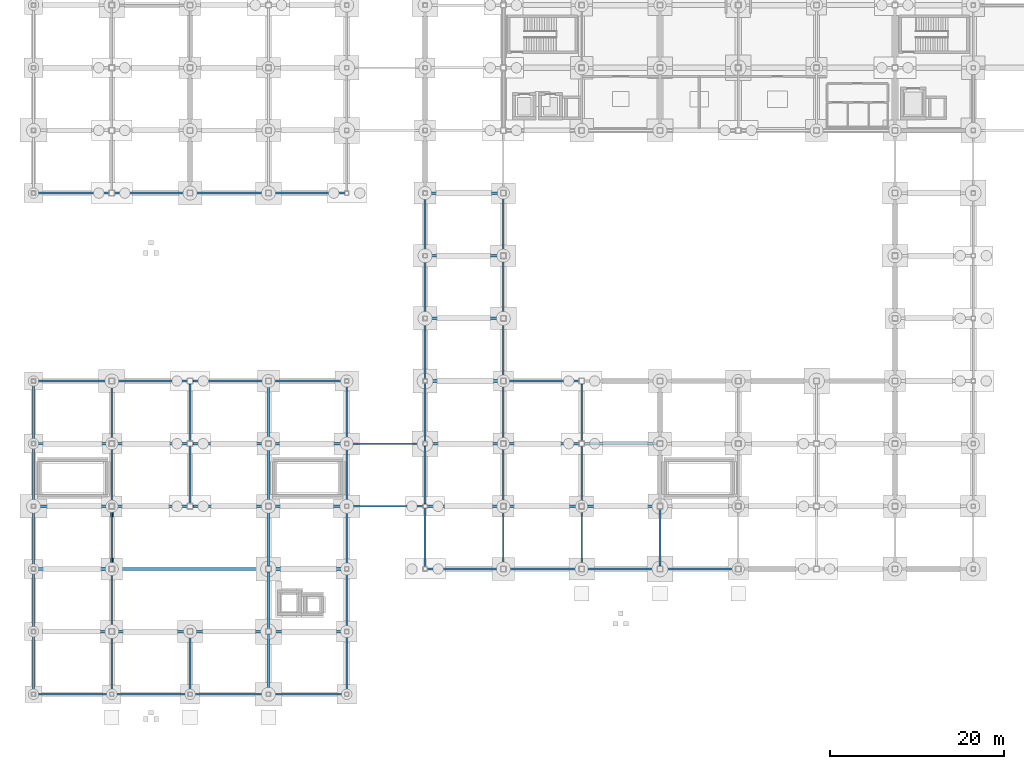
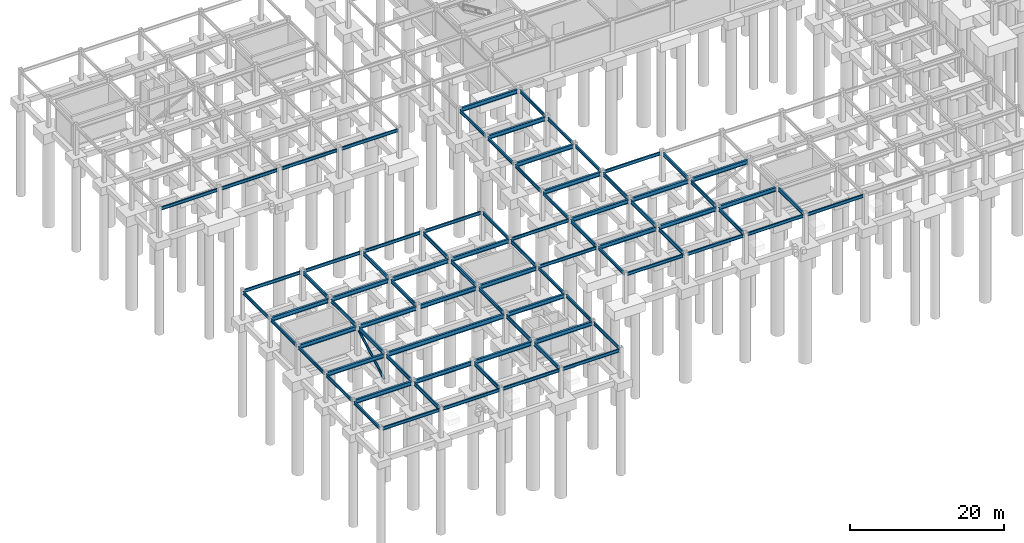
# One storey, part 17 of 28: 83 beams, 1 member.
"""IFC4 building model written with IfcOpenShell, lengths in metres."""

from ifc_helpers import new_model, si_unit, direction, frame, origin, origin_2d, place, context, subcontext, project, spatial, hollow_circle, i_section, extrude, material, material_profile, profile_set, type_object, element, save


model = new_model("IFC4")

# Units and contexts
model_context = context("Model", 3, precision=1e-05, world=origin(), true_north=direction((0.0, 1.0)))
body_context = subcontext(model_context, "Body", "Model", "MODEL_VIEW")
ifc_project = project(units=[si_unit("LENGTHUNIT", "METRE"), si_unit("AREAUNIT", "SQUARE_METRE"), si_unit("VOLUMEUNIT", "CUBIC_METRE"), si_unit("PLANEANGLEUNIT", "RADIAN"), si_unit("MASSUNIT", "GRAM", prefix="KILO")], contexts=[model_context])

# Site, building, storey
site_placement = place(None, origin())
site = spatial("IfcSite", under=ifc_project, at=site_placement, CompositionType="ELEMENT")
building_placement = place(site_placement, origin())
building = spatial("IfcBuilding", under=site, at=building_placement, Name="Kazanami Central Library", CompositionType="ELEMENT")
storey_placement = place(building_placement, frame((0.0, 0.0, -4.89990234375)))
storey = spatial("IfcBuildingStorey", under=building, at=storey_placement, Name="B01", CompositionType="ELEMENT", Elevation=-4.89990234375)

# Beams
ifc_material_1 = material(Name="Steel SN490B (325 MPa)", Category="steel")
ifc_material_profile_1 = material_profile(ifc_material_1, i_section(OverallWidth=0.300048828125, OverallDepth=0.699951171875, WebThickness=0.012939453125, FlangeThickness=0.02392578125, at=origin_2d()), Name="H-700x300x13x24")
ifc_profile_set_1 = profile_set([ifc_material_profile_1], Name="Steel SN490B (325 MPa)")
beam_type_1 = type_object("IfcBeamType", Name="BM-G-AT", PredefinedType="BEAM", material=ifc_profile_set_1)
beam_1_placement = place(storey_placement, frame((9.322998046875, 14.39990234375, 4.27490234375), z_axis=(1.0, 0.0, 0.0), x_axis=(0.0, 1.0, 0.0)))
element("IfcBeam", 1, at=beam_1_placement, inside=storey, type_object=beam_type_1, Name="Auditorium Clear-Span Girder G-AT B01", PredefinedType="BEAM", context=body_context, shape_type="SweptSolid", body=[
    extrude(i_section(OverallWidth=0.300048828125, OverallDepth=0.699951171875, WebThickness=0.012939453125, FlangeThickness=0.02392578125, at=origin_2d()), origin(), (0.0, 0.0, 1.0), 17.35400390625),
])
ifc_material_profile_2 = material_profile(ifc_material_1, i_section(OverallWidth=0.199951171875, OverallDepth=0.60009765625, WebThickness=0.010986328125, FlangeThickness=0.01708984375, at=origin_2d()), Name="H-600x200x11x17")
ifc_profile_set_2 = profile_set([ifc_material_profile_2], Name="Steel SN490B (325 MPa)")
beam_type_2 = type_object("IfcBeamType", Name="BM-G-BY1", PredefinedType="BEAM", material=ifc_profile_set_2)
beam_2_placement = place(storey_placement, frame((9.0, 0.248046875, 4.324951171875), z_axis=(0.0, 1.0, 0.0), x_axis=(-1.0, 0.0, 0.0)))
element("IfcBeam", 2, at=beam_2_placement, inside=storey, type_object=beam_type_2, Name="Girder G-BY1 B01 2/A-B", PredefinedType="BEAM", context=body_context, shape_type="SweptSolid", body=[
    extrude(i_section(OverallWidth=0.199951171875, OverallDepth=0.60009765625, WebThickness=0.010986328125, FlangeThickness=0.01708984375, at=origin_2d()), origin(), (0.0, 0.0, 1.0), 6.62890625),
])
beam_3_placement = place(storey_placement, frame((9.0, 7.52294921875, 4.324951171875), z_axis=(0.0, 1.0, 0.0), x_axis=(-1.0, 0.0, 0.0)))
element("IfcBeam", 3, at=beam_3_placement, inside=storey, type_object=beam_type_2, Name="Girder G-BY1 B01 2/B-C", PredefinedType="BEAM", context=body_context, shape_type="SweptSolid", body=[
    extrude(i_section(OverallWidth=0.199951171875, OverallDepth=0.60009765625, WebThickness=0.010986328125, FlangeThickness=0.01708984375, at=origin_2d()), origin(), (0.0, 0.0, 1.0), 6.553955078125),
])
beam_4_placement = place(storey_placement, frame((9.0, 14.722900390625, 4.324951171875), z_axis=(0.0, 1.0, 0.0), x_axis=(-1.0, 0.0, 0.0)))
element("IfcBeam", 4, at=beam_4_placement, inside=storey, type_object=beam_type_2, Name="Girder G-BY1 B01 2/C-D", PredefinedType="BEAM", context=body_context, shape_type="SweptSolid", body=[
    extrude(i_section(OverallWidth=0.199951171875, OverallDepth=0.60009765625, WebThickness=0.010986328125, FlangeThickness=0.01708984375, at=origin_2d()), origin(), (0.0, 0.0, 1.0), 6.55419921875),
])
for number, where, z_axis, x_axis, name in (
    (5, (9.0, 21.923095703125, 4.324951171875), (0.0, 1.0, 0.0), (-1.0, 0.0, 0.0), "Girder G-BY1 B01 2/D-E"),
    (6, (9.0, 29.123046875, 4.324951171875), (0.0, 1.0, 0.0), (-1.0, 0.0, 0.0), "Girder G-BY1 B01 2/E-F"),
):
    element("IfcBeam", number, at=place(storey_placement, frame(where, z_axis=z_axis, x_axis=x_axis)), inside=storey, type_object=beam_type_2, Name=name, PredefinedType="BEAM", context=body_context, shape_type="SweptSolid", body=[
        extrude(i_section(OverallWidth=0.199951171875, OverallDepth=0.60009765625, WebThickness=0.010986328125, FlangeThickness=0.01708984375, at=origin_2d()), origin(), (0.0, 0.0, 1.0), 6.553955078125),
    ])
beam_5_placement = place(storey_placement, frame((18.0, 0.248046875, 4.324951171875), z_axis=(0.0, 1.0, 0.0), x_axis=(-1.0, 0.0, 0.0)))
element("IfcBeam", 7, at=beam_5_placement, inside=storey, type_object=beam_type_2, Name="Girder G-BY1 B01 3/A-B", PredefinedType="BEAM", context=body_context, shape_type="SweptSolid", body=[
    extrude(i_section(OverallWidth=0.199951171875, OverallDepth=0.60009765625, WebThickness=0.010986328125, FlangeThickness=0.01708984375, at=origin_2d()), origin(), (0.0, 0.0, 1.0), 6.62890625),
])
for number, where, z_axis, x_axis, name in (
    (8, (18.0, 21.923095703125, 4.324951171875), (0.0, 1.0, 0.0), (-1.0, 0.0, 0.0), "Girder G-BY1 B01 3/D-E"),
    (9, (18.0, 29.123046875, 4.324951171875), (0.0, 1.0, 0.0), (-1.0, 0.0, 0.0), "Girder G-BY1 B01 3/E-F"),
):
    element("IfcBeam", number, at=place(storey_placement, frame(where, z_axis=z_axis, x_axis=x_axis)), inside=storey, type_object=beam_type_2, Name=name, PredefinedType="BEAM", context=body_context, shape_type="SweptSolid", body=[
        extrude(i_section(OverallWidth=0.199951171875, OverallDepth=0.60009765625, WebThickness=0.010986328125, FlangeThickness=0.01708984375, at=origin_2d()), origin(), (0.0, 0.0, 1.0), 6.553955078125),
    ])
beam_6_placement = place(storey_placement, frame((27.0, 0.248046875, 4.324951171875), z_axis=(0.0, 1.0, 0.0), x_axis=(-1.0, 0.0, 0.0)))
element("IfcBeam", 10, at=beam_6_placement, inside=storey, type_object=beam_type_2, Name="Girder G-BY1 B01 4/A-B", PredefinedType="BEAM", context=body_context, shape_type="SweptSolid", body=[
    extrude(i_section(OverallWidth=0.199951171875, OverallDepth=0.60009765625, WebThickness=0.010986328125, FlangeThickness=0.01708984375, at=origin_2d()), origin(), (0.0, 0.0, 1.0), 6.62890625),
])
beam_7_placement = place(storey_placement, frame((27.0, 7.52294921875, 4.324951171875), z_axis=(0.0, 1.0, 0.0), x_axis=(-1.0, 0.0, 0.0)))
element("IfcBeam", 11, at=beam_7_placement, inside=storey, type_object=beam_type_2, Name="Girder G-BY1 B01 4/B-C", PredefinedType="BEAM", context=body_context, shape_type="SweptSolid", body=[
    extrude(i_section(OverallWidth=0.199951171875, OverallDepth=0.60009765625, WebThickness=0.010986328125, FlangeThickness=0.01708984375, at=origin_2d()), origin(), (0.0, 0.0, 1.0), 6.553955078125),
])
beam_8_placement = place(storey_placement, frame((27.0, 14.722900390625, 4.324951171875), z_axis=(0.0, 1.0, 0.0), x_axis=(-1.0, 0.0, 0.0)))
element("IfcBeam", 12, at=beam_8_placement, inside=storey, type_object=beam_type_2, Name="Girder G-BY1 B01 4/C-D", PredefinedType="BEAM", context=body_context, shape_type="SweptSolid", body=[
    extrude(i_section(OverallWidth=0.199951171875, OverallDepth=0.60009765625, WebThickness=0.010986328125, FlangeThickness=0.01708984375, at=origin_2d()), origin(), (0.0, 0.0, 1.0), 6.55419921875),
])
for number, where, z_axis, x_axis, name in (
    (13, (27.0, 21.923095703125, 4.324951171875), (0.0, 1.0, 0.0), (-1.0, 0.0, 0.0), "Girder G-BY1 B01 4/D-E"),
    (14, (27.0, 29.123046875, 4.324951171875), (0.0, 1.0, 0.0), (-1.0, 0.0, 0.0), "Girder G-BY1 B01 4/E-F"),
):
    element("IfcBeam", number, at=place(storey_placement, frame(where, z_axis=z_axis, x_axis=x_axis)), inside=storey, type_object=beam_type_2, Name=name, PredefinedType="BEAM", context=body_context, shape_type="SweptSolid", body=[
        extrude(i_section(OverallWidth=0.199951171875, OverallDepth=0.60009765625, WebThickness=0.010986328125, FlangeThickness=0.01708984375, at=origin_2d()), origin(), (0.0, 0.0, 1.0), 6.553955078125),
    ])
for number, where, z_axis, x_axis, name in (
    (15, (36.0, 21.847900390625, 4.324951171875), (0.0, 1.0, 0.0), (-1.0, 0.0, 0.0), "Girder G-BY1 B01 5/D-E"),
    (16, (45.0, 21.847900390625, 4.324951171875), (0.0, 1.0, 0.0), (-1.0, 0.0, 0.0), "Girder G-BY1 B01 6/D-E"),
):
    element("IfcBeam", number, at=place(storey_placement, frame(where, z_axis=z_axis, x_axis=x_axis)), inside=storey, type_object=beam_type_2, Name=name, PredefinedType="BEAM", context=body_context, shape_type="SweptSolid", body=[
        extrude(i_section(OverallWidth=0.199951171875, OverallDepth=0.60009765625, WebThickness=0.010986328125, FlangeThickness=0.01708984375, at=origin_2d()), origin(), (0.0, 0.0, 1.0), 6.7041015625),
    ])
beam_9_placement = place(storey_placement, frame((54.0, 14.722900390625, 4.35986328125), z_axis=(0.0, 1.0, 0.0), x_axis=(-1.0, 0.0, 0.0)))
element("IfcBeam", 17, at=beam_9_placement, inside=storey, type_object=beam_type_2, Name="Girder G-BY1 B01 7/C-D", PredefinedType="BEAM", context=body_context, shape_type="SweptSolid", body=[
    extrude(i_section(OverallWidth=0.199951171875, OverallDepth=0.60009765625, WebThickness=0.010986328125, FlangeThickness=0.01708984375, at=origin_2d()), origin(), (0.0, 0.0, 1.0), 6.55419921875),
])
for number, where, z_axis, x_axis, name in (
    (18, (54.0, 21.923095703125, 4.324951171875), (0.0, 1.0, 0.0), (-1.0, 0.0, 0.0), "Girder G-BY1 B01 7/D-E"),
    (19, (54.0, 29.123046875, 4.324951171875), (0.0, 1.0, 0.0), (-1.0, 0.0, 0.0), "Girder G-BY1 B01 7/E-F"),
):
    element("IfcBeam", number, at=place(storey_placement, frame(where, z_axis=z_axis, x_axis=x_axis)), inside=storey, type_object=beam_type_2, Name=name, PredefinedType="BEAM", context=body_context, shape_type="SweptSolid", body=[
        extrude(i_section(OverallWidth=0.199951171875, OverallDepth=0.60009765625, WebThickness=0.010986328125, FlangeThickness=0.01708984375, at=origin_2d()), origin(), (0.0, 0.0, 1.0), 6.553955078125),
    ])
beam_10_placement = place(storey_placement, frame((63.0, 14.722900390625, 4.35986328125), z_axis=(0.0, 1.0, 0.0), x_axis=(-1.0, 0.0, 0.0)))
element("IfcBeam", 20, at=beam_10_placement, inside=storey, type_object=beam_type_2, Name="Girder G-BY1 B01 8/C-D", PredefinedType="BEAM", context=body_context, shape_type="SweptSolid", body=[
    extrude(i_section(OverallWidth=0.199951171875, OverallDepth=0.60009765625, WebThickness=0.010986328125, FlangeThickness=0.01708984375, at=origin_2d()), origin(), (0.0, 0.0, 1.0), 6.55419921875),
])
for number, where, z_axis, x_axis, name in (
    (21, (63.0, 21.923095703125, 4.324951171875), (0.0, 1.0, 0.0), (-1.0, 0.0, 0.0), "Girder G-BY1 B01 8/D-E"),
    (22, (63.0, 29.123046875, 4.324951171875), (0.0, 1.0, 0.0), (-1.0, 0.0, 0.0), "Girder G-BY1 B01 8/E-F"),
):
    element("IfcBeam", number, at=place(storey_placement, frame(where, z_axis=z_axis, x_axis=x_axis)), inside=storey, type_object=beam_type_2, Name=name, PredefinedType="BEAM", context=body_context, shape_type="SweptSolid", body=[
        extrude(i_section(OverallWidth=0.199951171875, OverallDepth=0.60009765625, WebThickness=0.010986328125, FlangeThickness=0.01708984375, at=origin_2d()), origin(), (0.0, 0.0, 1.0), 6.553955078125),
    ])
beam_11_placement = place(storey_placement, frame((72.0, 14.722900390625, 4.35986328125), z_axis=(0.0, 1.0, 0.0), x_axis=(-1.0, 0.0, 0.0)))
element("IfcBeam", 23, at=beam_11_placement, inside=storey, type_object=beam_type_2, Name="Girder G-BY1 B01 9/C-D", PredefinedType="BEAM", context=body_context, shape_type="SweptSolid", body=[
    extrude(i_section(OverallWidth=0.199951171875, OverallDepth=0.60009765625, WebThickness=0.010986328125, FlangeThickness=0.01708984375, at=origin_2d()), origin(), (0.0, 0.0, 1.0), 6.55419921875),
])
ifc_material_profile_3 = material_profile(ifc_material_1, i_section(OverallWidth=0.300048828125, OverallDepth=0.64990234375, WebThickness=0.012939453125, FlangeThickness=0.02099609375, at=origin_2d()), Name="H-650x300x13x21")
ifc_profile_set_3 = profile_set([ifc_material_profile_3], Name="Steel SN490B (325 MPa)")
beam_type_3 = type_object("IfcBeamType", Name="BM-G-TR", PredefinedType="BEAM", material=ifc_profile_set_3)
beam_12_placement = place(storey_placement, frame((0.248046875, 7.199951171875, 4.2998046875), z_axis=(1.0, 0.0, 0.0), x_axis=(0.0, 1.0, 0.0)))
element("IfcBeam", 24, at=beam_12_placement, inside=storey, type_object=beam_type_3, Name="Girder G-TR B01 B/1-2", PredefinedType="BEAM", context=body_context, shape_type="SweptSolid", body=[
    extrude(i_section(OverallWidth=0.300048828125, OverallDepth=0.64990234375, WebThickness=0.012939453125, FlangeThickness=0.02099609375, at=origin_2d()), origin(), (0.0, 0.0, 1.0), 8.428955078125),
])
for number, where, z_axis, x_axis, name in (
    (25, (9.322998046875, 7.199951171875, 4.2998046875), (1.0, 0.0, 0.0), (0.0, 1.0, 0.0), "Girder G-TR B01 B/2-3"),
    (26, (18.322998046875, 7.199951171875, 4.2998046875), (1.0, 0.0, 0.0), (0.0, 1.0, 0.0), "Girder G-TR B01 B/3-4"),
):
    element("IfcBeam", number, at=place(storey_placement, frame(where, z_axis=z_axis, x_axis=x_axis)), inside=storey, type_object=beam_type_3, Name=name, PredefinedType="BEAM", context=body_context, shape_type="SweptSolid", body=[
        extrude(i_section(OverallWidth=0.300048828125, OverallDepth=0.64990234375, WebThickness=0.012939453125, FlangeThickness=0.02099609375, at=origin_2d()), origin(), (0.0, 0.0, 1.0), 8.35400390625),
    ])
for number, where, z_axis, x_axis, name in (
    (27, (27.322998046875, 7.199951171875, 4.2998046875), (1.0, 0.0, 0.0), (0.0, 1.0, 0.0), "Girder G-TR B01 B/4-5"),
    (28, (0.248046875, 14.39990234375, 4.2998046875), (1.0, 0.0, 0.0), (0.0, 1.0, 0.0), "Girder G-TR B01 C/1-2"),
    (29, (27.322998046875, 14.39990234375, 4.2998046875), (1.0, 0.0, 0.0), (0.0, 1.0, 0.0), "Girder G-TR B01 C/4-5"),
    (30, (0.248046875, 21.60009765625, 4.2998046875), (1.0, 0.0, 0.0), (0.0, 1.0, 0.0), "Girder G-TR B01 D/1-2"),
):
    element("IfcBeam", number, at=place(storey_placement, frame(where, z_axis=z_axis, x_axis=x_axis)), inside=storey, type_object=beam_type_3, Name=name, PredefinedType="BEAM", context=body_context, shape_type="SweptSolid", body=[
        extrude(i_section(OverallWidth=0.300048828125, OverallDepth=0.64990234375, WebThickness=0.012939453125, FlangeThickness=0.02099609375, at=origin_2d()), origin(), (0.0, 0.0, 1.0), 8.428955078125),
    ])
for number, where, z_axis, x_axis, name in (
    (31, (9.322998046875, 21.60009765625, 4.2998046875), (1.0, 0.0, 0.0), (0.0, 1.0, 0.0), "Girder G-TR B01 D/2-3"),
    (32, (18.322998046875, 21.60009765625, 4.2998046875), (1.0, 0.0, 0.0), (0.0, 1.0, 0.0), "Girder G-TR B01 D/3-4"),
):
    element("IfcBeam", number, at=place(storey_placement, frame(where, z_axis=z_axis, x_axis=x_axis)), inside=storey, type_object=beam_type_3, Name=name, PredefinedType="BEAM", context=body_context, shape_type="SweptSolid", body=[
        extrude(i_section(OverallWidth=0.300048828125, OverallDepth=0.64990234375, WebThickness=0.012939453125, FlangeThickness=0.02099609375, at=origin_2d()), origin(), (0.0, 0.0, 1.0), 8.35400390625),
    ])
for number, where, z_axis, x_axis, name in (
    (33, (27.322998046875, 21.60009765625, 4.2998046875), (1.0, 0.0, 0.0), (0.0, 1.0, 0.0), "Girder G-TR B01 D/4-5"),
    (34, (45.248046875, 21.60009765625, 4.2998046875), (1.0, 0.0, 0.0), (0.0, 1.0, 0.0), "Girder G-TR B01 D/6-7"),
):
    element("IfcBeam", number, at=place(storey_placement, frame(where, z_axis=z_axis, x_axis=x_axis)), inside=storey, type_object=beam_type_3, Name=name, PredefinedType="BEAM", context=body_context, shape_type="SweptSolid", body=[
        extrude(i_section(OverallWidth=0.300048828125, OverallDepth=0.64990234375, WebThickness=0.012939453125, FlangeThickness=0.02099609375, at=origin_2d()), origin(), (0.0, 0.0, 1.0), 8.428955078125),
    ])
for number, where, z_axis, x_axis, name in (
    (35, (54.322998046875, 21.60009765625, 4.2998046875), (1.0, 0.0, 0.0), (0.0, 1.0, 0.0), "Girder G-TR B01 D/7-8"),
    (36, (63.322998046875, 21.60009765625, 4.2998046875), (1.0, 0.0, 0.0), (0.0, 1.0, 0.0), "Girder G-TR B01 D/8-9"),
):
    element("IfcBeam", number, at=place(storey_placement, frame(where, z_axis=z_axis, x_axis=x_axis)), inside=storey, type_object=beam_type_3, Name=name, PredefinedType="BEAM", context=body_context, shape_type="SweptSolid", body=[
        extrude(i_section(OverallWidth=0.300048828125, OverallDepth=0.64990234375, WebThickness=0.012939453125, FlangeThickness=0.02099609375, at=origin_2d()), origin(), (0.0, 0.0, 1.0), 8.35400390625),
    ])
beam_13_placement = place(storey_placement, frame((0.248046875, 28.800048828125, 4.2998046875), z_axis=(1.0, 0.0, 0.0), x_axis=(0.0, 1.0, 0.0)))
element("IfcBeam", 37, at=beam_13_placement, inside=storey, type_object=beam_type_3, Name="Girder G-TR B01 E/1-2", PredefinedType="BEAM", context=body_context, shape_type="SweptSolid", body=[
    extrude(i_section(OverallWidth=0.300048828125, OverallDepth=0.64990234375, WebThickness=0.012939453125, FlangeThickness=0.02099609375, at=origin_2d()), origin(), (0.0, 0.0, 1.0), 8.428955078125),
])
for number, where, z_axis, x_axis, name in (
    (38, (9.322998046875, 28.800048828125, 4.2998046875), (1.0, 0.0, 0.0), (0.0, 1.0, 0.0), "Girder G-TR B01 E/2-3"),
    (39, (18.322998046875, 28.800048828125, 4.2998046875), (1.0, 0.0, 0.0), (0.0, 1.0, 0.0), "Girder G-TR B01 E/3-4"),
):
    element("IfcBeam", number, at=place(storey_placement, frame(where, z_axis=z_axis, x_axis=x_axis)), inside=storey, type_object=beam_type_3, Name=name, PredefinedType="BEAM", context=body_context, shape_type="SweptSolid", body=[
        extrude(i_section(OverallWidth=0.300048828125, OverallDepth=0.64990234375, WebThickness=0.012939453125, FlangeThickness=0.02099609375, at=origin_2d()), origin(), (0.0, 0.0, 1.0), 8.35400390625),
    ])
for number, where, z_axis, x_axis, name in (
    (40, (27.322998046875, 28.800048828125, 4.2998046875), (1.0, 0.0, 0.0), (0.0, 1.0, 0.0), "Girder G-TR B01 E/4-5"),
    (41, (45.248046875, 28.800048828125, 4.2998046875), (1.0, 0.0, 0.0), (0.0, 1.0, 0.0), "Girder G-TR B01 E/6-7"),
):
    element("IfcBeam", number, at=place(storey_placement, frame(where, z_axis=z_axis, x_axis=x_axis)), inside=storey, type_object=beam_type_3, Name=name, PredefinedType="BEAM", context=body_context, shape_type="SweptSolid", body=[
        extrude(i_section(OverallWidth=0.300048828125, OverallDepth=0.64990234375, WebThickness=0.012939453125, FlangeThickness=0.02099609375, at=origin_2d()), origin(), (0.0, 0.0, 1.0), 8.428955078125),
    ])
for number, where, z_axis, x_axis, name in (
    (42, (54.322998046875, 28.800048828125, 4.2998046875), (1.0, 0.0, 0.0), (0.0, 1.0, 0.0), "Girder G-TR B01 E/7-8"),
    (43, (63.322998046875, 28.800048828125, 4.2998046875), (1.0, 0.0, 0.0), (0.0, 1.0, 0.0), "Girder G-TR B01 E/8-9"),
):
    element("IfcBeam", number, at=place(storey_placement, frame(where, z_axis=z_axis, x_axis=x_axis)), inside=storey, type_object=beam_type_3, Name=name, PredefinedType="BEAM", context=body_context, shape_type="SweptSolid", body=[
        extrude(i_section(OverallWidth=0.300048828125, OverallDepth=0.64990234375, WebThickness=0.012939453125, FlangeThickness=0.02099609375, at=origin_2d()), origin(), (0.0, 0.0, 1.0), 8.35400390625),
    ])
for number, where, z_axis, x_axis, name in (
    (44, (45.248046875, 36.0, 4.2998046875), (1.0, 0.0, 0.0), (0.0, 1.0, 0.0), "Girder G-TR B01 F/6-7"),
    (45, (45.248046875, 43.199951171875, 4.2998046875), (1.0, 0.0, 0.0), (0.0, 1.0, 0.0), "Girder G-TR B01 G/6-7"),
    (46, (45.248046875, 50.39990234375, 4.2998046875), (1.0, 0.0, 0.0), (0.0, 1.0, 0.0), "Girder G-TR B01 H/6-7"),
    (47, (45.248046875, 57.60009765625, 4.2998046875), (1.0, 0.0, 0.0), (0.0, 1.0, 0.0), "Girder G-TR B01 J/6-7"),
):
    element("IfcBeam", number, at=place(storey_placement, frame(where, z_axis=z_axis, x_axis=x_axis)), inside=storey, type_object=beam_type_3, Name=name, PredefinedType="BEAM", context=body_context, shape_type="SweptSolid", body=[
        extrude(i_section(OverallWidth=0.300048828125, OverallDepth=0.64990234375, WebThickness=0.012939453125, FlangeThickness=0.02099609375, at=origin_2d()), origin(), (0.0, 0.0, 1.0), 8.428955078125),
    ])
ifc_material_profile_4 = material_profile(ifc_material_1, i_section(OverallWidth=0.199951171875, OverallDepth=0.5, WebThickness=0.010009765625, FlangeThickness=0.01611328125, at=origin_2d()), Name="H-500x200x10x16")
ifc_profile_set_4 = profile_set([ifc_material_profile_4], Name="Steel SN490B (325 MPa)")
beam_type_4 = type_object("IfcBeamType", Name="BM-SP-1", PredefinedType="SPANDREL", material=ifc_profile_set_4)
for number, where, z_axis, x_axis, name in (
    (48, (0.248046875, 0.0, 4.375), (1.0, 0.0, 0.0), (0.0, 1.0, 0.0), "Girder SP-1 B01 A/1-2"),
    (49, (9.248046875, 0.0, 4.375), (1.0, 0.0, 0.0), (0.0, 1.0, 0.0), "Girder SP-1 B01 A/2-3"),
    (50, (18.248046875, 0.0, 4.375), (1.0, 0.0, 0.0), (0.0, 1.0, 0.0), "Girder SP-1 B01 A/3-4"),
    (51, (27.248046875, 0.0, 4.375), (1.0, 0.0, 0.0), (0.0, 1.0, 0.0), "Girder SP-1 B01 A/4-5"),
):
    element("IfcBeam", number, at=place(storey_placement, frame(where, z_axis=z_axis, x_axis=x_axis)), inside=storey, type_object=beam_type_4, Name=name, PredefinedType="SPANDREL", context=body_context, shape_type="SweptSolid", body=[
        extrude(i_section(OverallWidth=0.199951171875, OverallDepth=0.5, WebThickness=0.010009765625, FlangeThickness=0.01611328125, at=origin_2d()), origin(), (0.0, 0.0, 1.0), 8.50390625),
    ])
beam_14_placement = place(storey_placement, frame((45.248046875, 14.39990234375, 4.409912109375), z_axis=(1.0, 0.0, 0.0), x_axis=(0.0, 1.0, 0.0)))
element("IfcBeam", 52, at=beam_14_placement, inside=storey, type_object=beam_type_4, Name="Girder SP-1 B01 C/6-7", PredefinedType="SPANDREL", context=body_context, shape_type="SweptSolid", body=[
    extrude(i_section(OverallWidth=0.199951171875, OverallDepth=0.5, WebThickness=0.010009765625, FlangeThickness=0.01611328125, at=origin_2d()), origin(), (0.0, 0.0, 1.0), 8.428955078125),
])
for number, where, z_axis, x_axis, name in (
    (53, (54.322998046875, 14.39990234375, 4.409912109375), (1.0, 0.0, 0.0), (0.0, 1.0, 0.0), "Girder SP-1 B01 C/7-8"),
    (54, (63.322998046875, 14.39990234375, 4.409912109375), (1.0, 0.0, 0.0), (0.0, 1.0, 0.0), "Girder SP-1 B01 C/8-9"),
    (55, (72.322998046875, 14.39990234375, 4.409912109375), (1.0, 0.0, 0.0), (0.0, 1.0, 0.0), "Girder SP-1 B01 C/9-10"),
):
    element("IfcBeam", number, at=place(storey_placement, frame(where, z_axis=z_axis, x_axis=x_axis)), inside=storey, type_object=beam_type_4, Name=name, PredefinedType="SPANDREL", context=body_context, shape_type="SweptSolid", body=[
        extrude(i_section(OverallWidth=0.199951171875, OverallDepth=0.5, WebThickness=0.010009765625, FlangeThickness=0.01611328125, at=origin_2d()), origin(), (0.0, 0.0, 1.0), 8.35400390625),
    ])
for number, where, z_axis, x_axis, name in (
    (56, (36.248046875, 21.60009765625, 4.375), (1.0, 0.0, 0.0), (0.0, 1.0, 0.0), "Covered Link Bridge Girder SP-1 B01 D/5-6"),
    (57, (36.248046875, 28.800048828125, 4.375), (1.0, 0.0, 0.0), (0.0, 1.0, 0.0), "Covered Link Bridge Girder SP-1 B01 E/5-6"),
):
    element("IfcBeam", number, at=place(storey_placement, frame(where, z_axis=z_axis, x_axis=x_axis)), inside=storey, type_object=beam_type_4, Name=name, PredefinedType="SPANDREL", context=body_context, shape_type="SweptSolid", body=[
        extrude(i_section(OverallWidth=0.199951171875, OverallDepth=0.5, WebThickness=0.010009765625, FlangeThickness=0.01611328125, at=origin_2d()), origin(), (0.0, 0.0, 1.0), 8.50390625),
    ])
beam_15_placement = place(storey_placement, frame((0.248046875, 36.0, 4.375), z_axis=(1.0, 0.0, 0.0), x_axis=(0.0, 1.0, 0.0)))
element("IfcBeam", 58, at=beam_15_placement, inside=storey, type_object=beam_type_4, Name="Girder SP-1 B01 F/1-2", PredefinedType="SPANDREL", context=body_context, shape_type="SweptSolid", body=[
    extrude(i_section(OverallWidth=0.199951171875, OverallDepth=0.5, WebThickness=0.010009765625, FlangeThickness=0.01611328125, at=origin_2d()), origin(), (0.0, 0.0, 1.0), 8.428955078125),
])
for number, where, z_axis, x_axis, name in (
    (59, (9.322998046875, 36.0, 4.375), (1.0, 0.0, 0.0), (0.0, 1.0, 0.0), "Girder SP-1 B01 F/2-3"),
    (60, (18.322998046875, 36.0, 4.375), (1.0, 0.0, 0.0), (0.0, 1.0, 0.0), "Girder SP-1 B01 F/3-4"),
):
    element("IfcBeam", number, at=place(storey_placement, frame(where, z_axis=z_axis, x_axis=x_axis)), inside=storey, type_object=beam_type_4, Name=name, PredefinedType="SPANDREL", context=body_context, shape_type="SweptSolid", body=[
        extrude(i_section(OverallWidth=0.199951171875, OverallDepth=0.5, WebThickness=0.010009765625, FlangeThickness=0.01611328125, at=origin_2d()), origin(), (0.0, 0.0, 1.0), 8.35400390625),
    ])
beam_16_placement = place(storey_placement, frame((27.322998046875, 36.0, 4.375), z_axis=(1.0, 0.0, 0.0), x_axis=(0.0, 1.0, 0.0)))
element("IfcBeam", 61, at=beam_16_placement, inside=storey, type_object=beam_type_4, Name="Girder SP-1 B01 F/4-5", PredefinedType="SPANDREL", context=body_context, shape_type="SweptSolid", body=[
    extrude(i_section(OverallWidth=0.199951171875, OverallDepth=0.5, WebThickness=0.010009765625, FlangeThickness=0.01611328125, at=origin_2d()), origin(), (0.0, 0.0, 1.0), 8.428955078125),
])
beam_17_placement = place(storey_placement, frame((54.322998046875, 36.0, 4.375), z_axis=(1.0, 0.0, 0.0), x_axis=(0.0, 1.0, 0.0)))
element("IfcBeam", 62, at=beam_17_placement, inside=storey, type_object=beam_type_4, Name="Girder SP-1 B01 F/7-8", PredefinedType="SPANDREL", context=body_context, shape_type="SweptSolid", body=[
    extrude(i_section(OverallWidth=0.199951171875, OverallDepth=0.5, WebThickness=0.010009765625, FlangeThickness=0.01611328125, at=origin_2d()), origin(), (0.0, 0.0, 1.0), 8.35400390625),
])
beam_18_placement = place(storey_placement, frame((0.248046875, 57.60009765625, 4.375), z_axis=(1.0, 0.0, 0.0), x_axis=(0.0, 1.0, 0.0)))
element("IfcBeam", 63, at=beam_18_placement, inside=storey, type_object=beam_type_4, Name="Girder SP-1 B01 J/1-2", PredefinedType="SPANDREL", context=body_context, shape_type="SweptSolid", body=[
    extrude(i_section(OverallWidth=0.199951171875, OverallDepth=0.5, WebThickness=0.010009765625, FlangeThickness=0.01611328125, at=origin_2d()), origin(), (0.0, 0.0, 1.0), 8.428955078125),
])
for number, where, z_axis, x_axis, name in (
    (64, (9.322998046875, 57.60009765625, 4.375), (1.0, 0.0, 0.0), (0.0, 1.0, 0.0), "Girder SP-1 B01 J/2-3"),
    (65, (18.322998046875, 57.60009765625, 4.375), (1.0, 0.0, 0.0), (0.0, 1.0, 0.0), "Girder SP-1 B01 J/3-4"),
):
    element("IfcBeam", number, at=place(storey_placement, frame(where, z_axis=z_axis, x_axis=x_axis)), inside=storey, type_object=beam_type_4, Name=name, PredefinedType="SPANDREL", context=body_context, shape_type="SweptSolid", body=[
        extrude(i_section(OverallWidth=0.199951171875, OverallDepth=0.5, WebThickness=0.010009765625, FlangeThickness=0.01611328125, at=origin_2d()), origin(), (0.0, 0.0, 1.0), 8.35400390625),
    ])
beam_19_placement = place(storey_placement, frame((27.322998046875, 57.60009765625, 4.375), z_axis=(1.0, 0.0, 0.0), x_axis=(0.0, 1.0, 0.0)))
element("IfcBeam", 66, at=beam_19_placement, inside=storey, type_object=beam_type_4, Name="Girder SP-1 B01 J/4-5", PredefinedType="SPANDREL", context=body_context, shape_type="SweptSolid", body=[
    extrude(i_section(OverallWidth=0.199951171875, OverallDepth=0.5, WebThickness=0.010009765625, FlangeThickness=0.01611328125, at=origin_2d()), origin(), (0.0, 0.0, 1.0), 8.428955078125),
])
beam_20_placement = place(storey_placement, frame((0.0, 0.248046875, 4.375), z_axis=(0.0, 1.0, 0.0), x_axis=(-1.0, 0.0, 0.0)))
element("IfcBeam", 67, at=beam_20_placement, inside=storey, type_object=beam_type_4, Name="Girder SP-1 B01 1/A-B", PredefinedType="SPANDREL", context=body_context, shape_type="SweptSolid", body=[
    extrude(i_section(OverallWidth=0.199951171875, OverallDepth=0.5, WebThickness=0.010009765625, FlangeThickness=0.01611328125, at=origin_2d()), origin(), (0.0, 0.0, 1.0), 6.703857421875),
])
for number, where, z_axis, x_axis, name in (
    (68, (0.0, 7.447998046875, 4.375), (0.0, 1.0, 0.0), (-1.0, 0.0, 0.0), "Girder SP-1 B01 1/B-C"),
    (69, (0.0, 14.64794921875, 4.375), (0.0, 1.0, 0.0), (-1.0, 0.0, 0.0), "Girder SP-1 B01 1/C-D"),
    (70, (0.0, 21.847900390625, 4.375), (0.0, 1.0, 0.0), (-1.0, 0.0, 0.0), "Girder SP-1 B01 1/D-E"),
):
    element("IfcBeam", number, at=place(storey_placement, frame(where, z_axis=z_axis, x_axis=x_axis)), inside=storey, type_object=beam_type_4, Name=name, PredefinedType="SPANDREL", context=body_context, shape_type="SweptSolid", body=[
        extrude(i_section(OverallWidth=0.199951171875, OverallDepth=0.5, WebThickness=0.010009765625, FlangeThickness=0.01611328125, at=origin_2d()), origin(), (0.0, 0.0, 1.0), 6.7041015625),
    ])
for number, where, z_axis, x_axis, name in (
    (71, (0.0, 29.048095703125, 4.375), (0.0, 1.0, 0.0), (-1.0, 0.0, 0.0), "Girder SP-1 B01 1/E-F"),
    (72, (36.0, 0.248046875, 4.375), (0.0, 1.0, 0.0), (-1.0, 0.0, 0.0), "Girder SP-1 B01 5/A-B"),
):
    element("IfcBeam", number, at=place(storey_placement, frame(where, z_axis=z_axis, x_axis=x_axis)), inside=storey, type_object=beam_type_4, Name=name, PredefinedType="SPANDREL", context=body_context, shape_type="SweptSolid", body=[
        extrude(i_section(OverallWidth=0.199951171875, OverallDepth=0.5, WebThickness=0.010009765625, FlangeThickness=0.01611328125, at=origin_2d()), origin(), (0.0, 0.0, 1.0), 6.703857421875),
    ])
for number, where, z_axis, x_axis, name in (
    (73, (36.0, 7.447998046875, 4.375), (0.0, 1.0, 0.0), (-1.0, 0.0, 0.0), "Girder SP-1 B01 5/B-C"),
    (74, (36.0, 14.64794921875, 4.375), (0.0, 1.0, 0.0), (-1.0, 0.0, 0.0), "Girder SP-1 B01 5/C-D"),
):
    element("IfcBeam", number, at=place(storey_placement, frame(where, z_axis=z_axis, x_axis=x_axis)), inside=storey, type_object=beam_type_4, Name=name, PredefinedType="SPANDREL", context=body_context, shape_type="SweptSolid", body=[
        extrude(i_section(OverallWidth=0.199951171875, OverallDepth=0.5, WebThickness=0.010009765625, FlangeThickness=0.01611328125, at=origin_2d()), origin(), (0.0, 0.0, 1.0), 6.7041015625),
    ])
beam_21_placement = place(storey_placement, frame((36.0, 29.048095703125, 4.375), z_axis=(0.0, 1.0, 0.0), x_axis=(-1.0, 0.0, 0.0)))
element("IfcBeam", 75, at=beam_21_placement, inside=storey, type_object=beam_type_4, Name="Girder SP-1 B01 5/E-F", PredefinedType="SPANDREL", context=body_context, shape_type="SweptSolid", body=[
    extrude(i_section(OverallWidth=0.199951171875, OverallDepth=0.5, WebThickness=0.010009765625, FlangeThickness=0.01611328125, at=origin_2d()), origin(), (0.0, 0.0, 1.0), 6.703857421875),
])
beam_22_placement = place(storey_placement, frame((45.0, 14.64794921875, 4.409912109375), z_axis=(0.0, 1.0, 0.0), x_axis=(-1.0, 0.0, 0.0)))
element("IfcBeam", 76, at=beam_22_placement, inside=storey, type_object=beam_type_4, Name="Girder SP-1 B01 6/C-D", PredefinedType="SPANDREL", context=body_context, shape_type="SweptSolid", body=[
    extrude(i_section(OverallWidth=0.199951171875, OverallDepth=0.5, WebThickness=0.010009765625, FlangeThickness=0.01611328125, at=origin_2d()), origin(), (0.0, 0.0, 1.0), 6.7041015625),
])
for number, where, z_axis, x_axis, name in (
    (77, (45.0, 29.048095703125, 4.375), (0.0, 1.0, 0.0), (-1.0, 0.0, 0.0), "Girder SP-1 B01 6/E-F"),
    (78, (45.0, 36.248046875, 4.375), (0.0, 1.0, 0.0), (-1.0, 0.0, 0.0), "Girder SP-1 B01 6/F-G"),
):
    element("IfcBeam", number, at=place(storey_placement, frame(where, z_axis=z_axis, x_axis=x_axis)), inside=storey, type_object=beam_type_4, Name=name, PredefinedType="SPANDREL", context=body_context, shape_type="SweptSolid", body=[
        extrude(i_section(OverallWidth=0.199951171875, OverallDepth=0.5, WebThickness=0.010009765625, FlangeThickness=0.01611328125, at=origin_2d()), origin(), (0.0, 0.0, 1.0), 6.703857421875),
    ])
for number, where, z_axis, x_axis, name in (
    (79, (45.0, 43.447998046875, 4.375), (0.0, 1.0, 0.0), (-1.0, 0.0, 0.0), "Girder SP-1 B01 6/G-H"),
    (80, (45.0, 50.64794921875, 4.375), (0.0, 1.0, 0.0), (-1.0, 0.0, 0.0), "Girder SP-1 B01 6/H-J"),
):
    element("IfcBeam", number, at=place(storey_placement, frame(where, z_axis=z_axis, x_axis=x_axis)), inside=storey, type_object=beam_type_4, Name=name, PredefinedType="SPANDREL", context=body_context, shape_type="SweptSolid", body=[
        extrude(i_section(OverallWidth=0.199951171875, OverallDepth=0.5, WebThickness=0.010009765625, FlangeThickness=0.01611328125, at=origin_2d()), origin(), (0.0, 0.0, 1.0), 6.7041015625),
    ])
for number, where, z_axis, x_axis, name in (
    (81, (54.0, 36.322998046875, 4.375), (0.0, 1.0, 0.0), (-1.0, 0.0, 0.0), "Girder SP-1 B01 7/F-G"),
    (82, (54.0, 43.52294921875, 4.375), (0.0, 1.0, 0.0), (-1.0, 0.0, 0.0), "Girder SP-1 B01 7/G-H"),
):
    element("IfcBeam", number, at=place(storey_placement, frame(where, z_axis=z_axis, x_axis=x_axis)), inside=storey, type_object=beam_type_4, Name=name, PredefinedType="SPANDREL", context=body_context, shape_type="SweptSolid", body=[
        extrude(i_section(OverallWidth=0.199951171875, OverallDepth=0.5, WebThickness=0.010009765625, FlangeThickness=0.01611328125, at=origin_2d()), origin(), (0.0, 0.0, 1.0), 6.553955078125),
    ])
beam_23_placement = place(storey_placement, frame((54.0, 50.722900390625, 4.375), z_axis=(0.0, 1.0, 0.0), x_axis=(-1.0, 0.0, 0.0)))
element("IfcBeam", 83, at=beam_23_placement, inside=storey, type_object=beam_type_4, Name="Girder SP-1 B01 7/H-J", PredefinedType="SPANDREL", context=body_context, shape_type="SweptSolid", body=[
    extrude(i_section(OverallWidth=0.199951171875, OverallDepth=0.5, WebThickness=0.010009765625, FlangeThickness=0.01611328125, at=origin_2d()), origin(), (0.0, 0.0, 1.0), 6.55419921875),
])

# Member
ifc_material_2 = material(Name="Steel STK490 (315 MPa)", Category="steel")
ifc_material_profile_5 = material_profile(ifc_material_2, hollow_circle(Radius=0.177734375, WallThickness=0.0126953125, at=origin_2d()), Name="CHS-355.6x12.7")
ifc_profile_set_5 = profile_set([ifc_material_profile_5], Name="Steel STK490 (315 MPa)")
member_type = type_object("IfcMemberType", Name="MEM-BR-01", PredefinedType="BRACE", material=ifc_profile_set_5)
member_placement = place(storey_placement, frame((9.0, 14.72509765625, 0.25), z_axis=(0.0, 0.87097490546, 0.491327501835), x_axis=(-1.0, 0.0, 0.0)))
element("IfcMember", 84, at=member_placement, inside=storey, type_object=member_type, Name="Concentric Steel Brace BR-01 B01 BF-V3A", PredefinedType="BRACE", context=body_context, shape_type="SweptSolid", body=[
    extrude(hollow_circle(Radius=0.177734375, WallThickness=0.0126953125, at=origin_2d()), origin(), (0.0, 0.0, 1.0), 7.52001953125),
])

save(model, "model.ifc")
